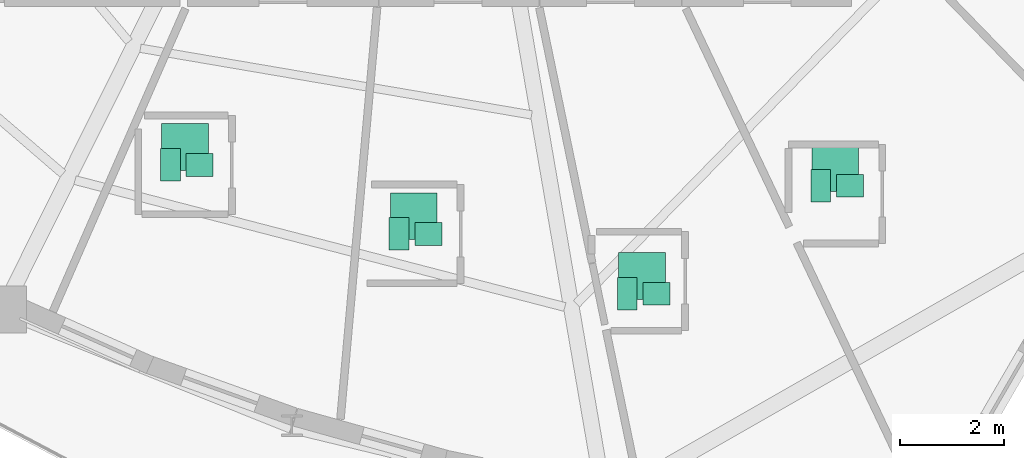
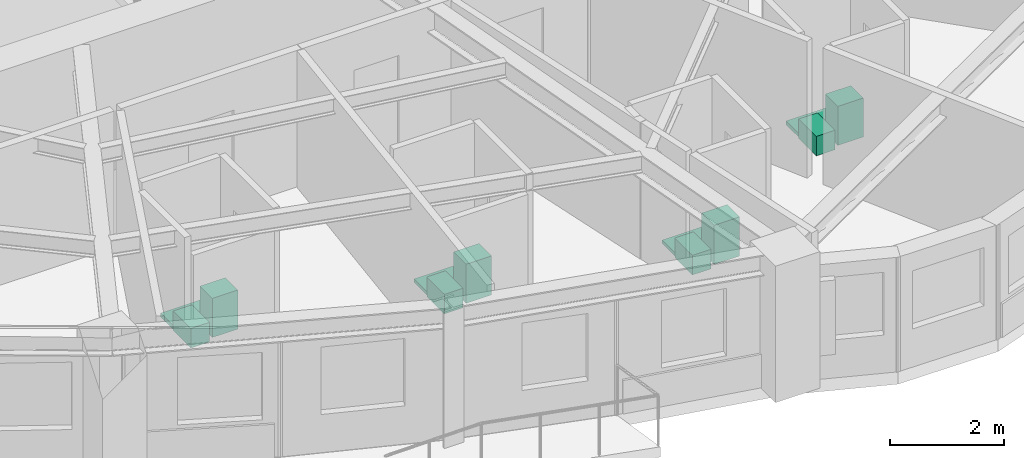
# One storey, part 16 of 16: 12 sanitary terminals.
"""IFC4 building model written with IfcOpenShell, lengths in metres."""

from ifc_helpers import new_model, si_unit, direction, frame, origin, origin_2d, place, context, subcontext, project, spatial, rectangle, extrude, source, transform, mapped, material, type_object, element, save


model = new_model("IFC4")

# Units and contexts
model_context = context("Model", 3, precision=1e-05, world=origin(), true_north=direction((0.0, 1.0)))
body_context = subcontext(model_context, "Body", "Model", "MODEL_VIEW")
ifc_project = project(units=[si_unit("LENGTHUNIT", "METRE"), si_unit("AREAUNIT", "SQUARE_METRE"), si_unit("VOLUMEUNIT", "CUBIC_METRE"), si_unit("PLANEANGLEUNIT", "RADIAN"), si_unit("MASSUNIT", "GRAM", prefix="KILO")], contexts=[model_context])

# Site, building, storey
site_placement = place(None, origin())
site = spatial("IfcSite", under=ifc_project, at=site_placement, CompositionType="ELEMENT")
building_placement = place(site_placement, origin())
building = spatial("IfcBuilding", under=site, at=building_placement, Name="Qafzar Sky-Pleat Residences", CompositionType="ELEMENT")
storey_placement = place(building_placement, frame((0.0, 0.0, 80.0)))
storey = spatial("IfcBuildingStorey", under=building, at=storey_placement, Name="L23", CompositionType="ELEMENT", Elevation=80.0)

# Sanitary terminals
ifc_material_1 = material(Name="Vitreous china sanitaryware")
sanitary_terminal_type_1 = type_object("IfcSanitaryTerminalType", Name="SAN-WC-PAN", PredefinedType="TOILETPAN", material=ifc_material_1)
shared_shape_1 = source(origin(), body_context, "Body", "SweptSolid", [
    extrude(rectangle(XDim=0.3798828125, YDim=0.6201171875, at=origin_2d()), origin(), (0.0, 0.0, 1.0), 0.419921875),
])
for number, where, z_axis, x_axis, name in (
    (1, (25.445068359375, 12.449951171875, 0.0), (0.0, 0.0, 1.0), (1.0, 0.0, 0.0), "L23 En-suite Bathroom 1 WC Pan"),
    (2, (29.837890625, 11.1240234375, 0.0), (0.0, 0.0, 1.0), (1.0, 0.0, 0.0), "L23 En-suite Bathroom 2 WC Pan"),
    (3, (34.22021484375, 9.974609375, 0.0), (0.0, 0.0, 1.0), (1.0, 0.0, 0.0), "L23 En-suite Bathroom 3 WC Pan"),
    (4, (37.93701171875, 12.048828125, 0.0), (0.0, 0.0, 1.0), (1.0, 0.0, 0.0), "L23 En-suite Bathroom 4 WC Pan"),
):
    element("IfcSanitaryTerminal", number, at=place(storey_placement, frame(where, z_axis=z_axis, x_axis=x_axis)), inside=storey, type_object=sanitary_terminal_type_1, Name=name, PredefinedType="TOILETPAN", context=body_context, shape_type="MappedRepresentation", body=[
        mapped(shared_shape_1, transform((0.0, 0.0, 0.0), x_axis=(1.0, 0.0, 0.0), y_axis=(0.0, 1.0, 0.0), z_axis=(0.0, 0.0, 1.0), scale=1.0)),
    ])
sanitary_terminal_type_2 = type_object("IfcSanitaryTerminalType", Name="SAN-BASIN", PredefinedType="WASHHANDBASIN", material=ifc_material_1)
shared_shape_2 = source(origin(), body_context, "Body", "SweptSolid", [
    extrude(rectangle(XDim=0.52001953125, YDim=0.43994140625, at=origin_2d()), origin(), (0.0, 0.0, 1.0), 0.840087890625),
])
for number, where, z_axis, x_axis, name in (
    (5, (26.0048828125, 12.449951171875, 0.0), (0.0, 0.0, 1.0), (1.0, 0.0, 0.0), "L23 En-suite Bathroom 1 Pedestal Washbasin"),
    (6, (30.39794921875, 11.1240234375, 0.0), (0.0, 0.0, 1.0), (1.0, 0.0, 0.0), "L23 En-suite Bathroom 2 Pedestal Washbasin"),
    (7, (34.7802734375, 9.974609375, 0.0), (0.0, 0.0, 1.0), (1.0, 0.0, 0.0), "L23 En-suite Bathroom 3 Pedestal Washbasin"),
    (8, (38.4970703125, 12.048828125, 0.0), (0.0, 0.0, 1.0), (1.0, 0.0, 0.0), "L23 En-suite Bathroom 4 Pedestal Washbasin"),
):
    element("IfcSanitaryTerminal", number, at=place(storey_placement, frame(where, z_axis=z_axis, x_axis=x_axis)), inside=storey, type_object=sanitary_terminal_type_2, Name=name, PredefinedType="WASHHANDBASIN", context=body_context, shape_type="MappedRepresentation", body=[
        mapped(shared_shape_2, transform((0.0, 0.0, 0.0), x_axis=(1.0, 0.0, 0.0), y_axis=(0.0, 1.0, 0.0), z_axis=(0.0, 0.0, 1.0), scale=1.0)),
    ])
ifc_material_2 = material(Name="Vitreous china and acrylic tray")
sanitary_terminal_type_3 = type_object("IfcSanitaryTerminalType", Name="SAN-SHOWER", PredefinedType="SHOWER", material=ifc_material_2)
shared_shape_3 = source(origin(), body_context, "Body", "SweptSolid", [
    extrude(rectangle(XDim=0.89990234375, YDim=0.89990234375, at=origin_2d()), origin(), (0.0, 0.0, 1.0), 0.080078125),
])
for number, where, z_axis, x_axis, name in (
    (9, (25.72509765625, 12.7900390625, 0.0), (0.0, 0.0, 1.0), (1.0, 0.0, 0.0), "L23 En-suite Bathroom 1 Walk-In Shower"),
    (10, (30.117919921875, 11.464111328125, 0.0), (0.0, 0.0, 1.0), (1.0, 0.0, 0.0), "L23 En-suite Bathroom 2 Walk-In Shower"),
    (11, (34.500244140625, 10.314697265625, 0.0), (0.0, 0.0, 1.0), (1.0, 0.0, 0.0), "L23 En-suite Bathroom 3 Walk-In Shower"),
    (12, (38.217041015625, 12.388916015625, 0.0), (0.0, 0.0, 1.0), (1.0, 0.0, 0.0), "L23 En-suite Bathroom 4 Walk-In Shower"),
):
    element("IfcSanitaryTerminal", number, at=place(storey_placement, frame(where, z_axis=z_axis, x_axis=x_axis)), inside=storey, type_object=sanitary_terminal_type_3, Name=name, PredefinedType="SHOWER", context=body_context, shape_type="MappedRepresentation", body=[
        mapped(shared_shape_3, transform((0.0, 0.0, 0.0), x_axis=(1.0, 0.0, 0.0), y_axis=(0.0, 1.0, 0.0), z_axis=(0.0, 0.0, 1.0), scale=1.0)),
    ])

save(model, "model.ifc")
